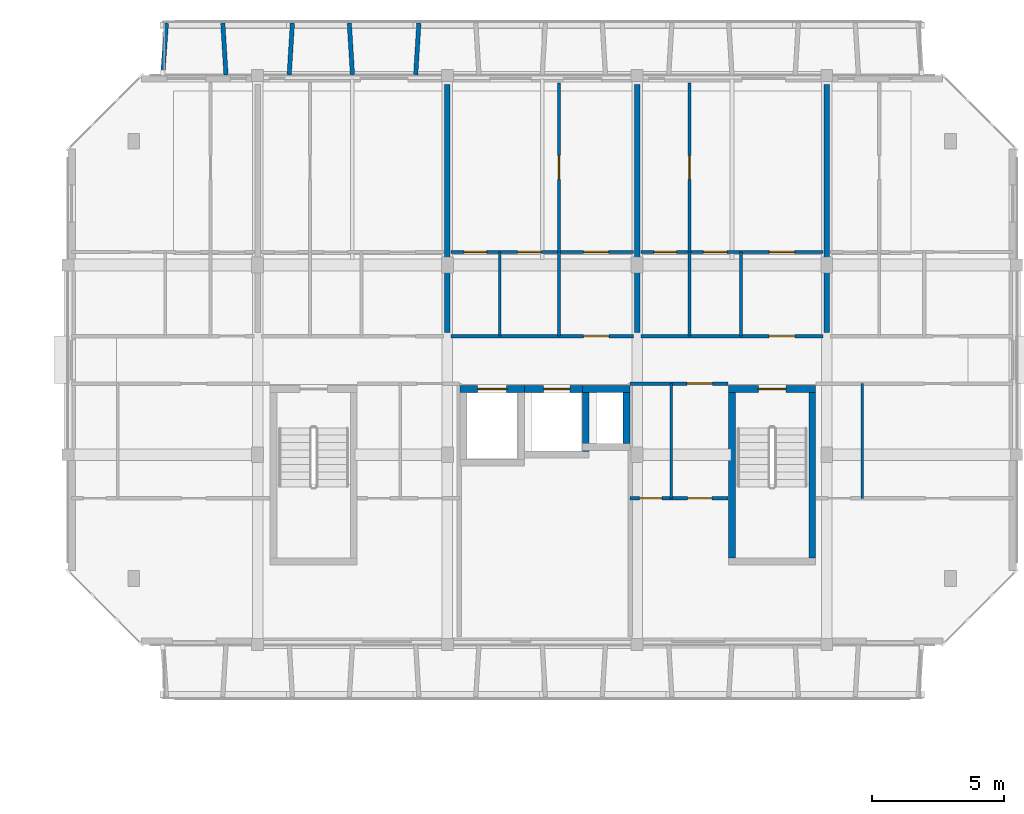
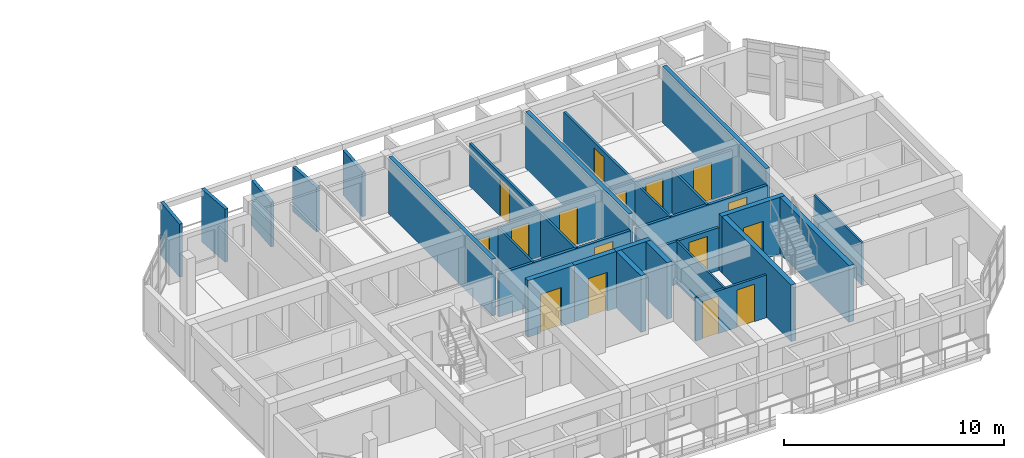
# One storey, part 30 of 43: 30 walls, 16 doors, 16 openings.
"""IFC4 building model written with IfcOpenShell, lengths in metres."""

from ifc_helpers import new_model, si_unit, direction, frame, frame_2d, origin, place, context, subcontext, project, spatial, rectangle, extrude, material, layer, layer_set, type_object, element, fill, save


model = new_model("IFC4")

# Units and contexts
model_context = context("Model", 3, precision=1e-05, world=origin(), true_north=direction((0.0, 1.0)))
body_context = subcontext(model_context, "Body", "Model", "MODEL_VIEW")
ifc_project = project(units=[si_unit("LENGTHUNIT", "METRE"), si_unit("AREAUNIT", "SQUARE_METRE"), si_unit("VOLUMEUNIT", "CUBIC_METRE"), si_unit("PLANEANGLEUNIT", "RADIAN"), si_unit("MASSUNIT", "GRAM", prefix="KILO")], contexts=[model_context])

# Site, building, storey
site_placement = place(None, origin())
site = spatial("IfcSite", under=ifc_project, at=site_placement, CompositionType="ELEMENT")
building_placement = place(site_placement, origin())
building = spatial("IfcBuilding", under=site, at=building_placement, Name="Ochrevale Crest", CompositionType="ELEMENT")
storey_placement = place(building_placement, frame((0.0, 0.0, 30.75)))
storey = spatial("IfcBuildingStorey", under=building, at=storey_placement, Name="L09", CompositionType="ELEMENT", Elevation=30.75)

# Wall, opening, door
ifc_material_1 = material(Name="Gypsum plasterboard", Category="gypsum")
ifc_layer_1 = layer(ifc_material_1, 0.139892578125)
ifc_layer_set_1 = layer_set([ifc_layer_1], Name="Gypsum plasterboard")
wall_type_1 = type_object("IfcWallType", Name="WL-COR-140", PredefinedType="PARTITIONING", material=ifc_layer_set_1)
wall_1_placement = place(storey_placement, frame((144.139892578125, 83.699951171875, 0.0), z_axis=(0.0, 0.0, 1.0), x_axis=(1.0, 0.0, 0.0)))
wall_1 = element("IfcWall", 1, at=wall_1_placement, inside=storey, type_object=wall_type_1, Name="Apartment D-L09-U3 corridor wall", PredefinedType="PARTITIONING", context=body_context, shape_type="SweptSolid", body=[
    extrude(rectangle(XDim=6.920166015625, YDim=0.139892578125, at=frame_2d((3.4599609375, 0.0))), origin(), (0.0, 0.0, 1.0), 2.3798828125),
])
opening_1_placement = place(wall_1_placement, frame((5.02001953125, 0.0, 0.0)))
opening_1 = element("IfcOpeningElement", 2, at=opening_1_placement, cuts=wall_1, Name="Opening FD01", PredefinedType="OPENING", context=body_context, shape_type="SweptSolid", body=[
    extrude(rectangle(XDim=0.97998046875, YDim=2.10009765625, at=frame_2d((0.489990234375, 1.050048828125))), frame((0.0, 0.080078125, 0.0), z_axis=(0.0, -1.0, 0.0), x_axis=(1.0, 0.0, 0.0)), (0.0, 0.0, 1.0), 0.159912109375),
])
ifc_material_2 = material(Name="Solid-core FSC hardwood", Category="wood")
door_type_1 = type_object("IfcDoorType", Name="DR-APT-950", OperationType="NOTDEFINED", PredefinedType="DOOR", material=ifc_material_2)
door_1_placement = place(opening_1_placement, origin())
door_1 = element("IfcDoor", 3, at=door_1_placement, inside=storey, type_object=door_type_1, Name="Apartment D-L09-U3 entrance door", OperationType="SINGLE_SWING_LEFT", OverallHeight=2.10009765625, OverallWidth=0.97998046875, PredefinedType="DOOR", context=body_context, shape_type="SweptSolid", body=[
    extrude(rectangle(XDim=0.97998046875, YDim=2.10009765625, at=frame_2d((0.489990234375, 1.050048828125))), frame((0.0, 0.02490234375, 0.0), z_axis=(0.0, -1.0, 0.0), x_axis=(1.0, 0.0, 0.0)), (0.0, 0.0, 1.0), 0.050048828125),
])
fill(opening_1, door_1)

wall_2_placement = place(storey_placement, frame((151.340087890625, 83.699951171875, 0.0), z_axis=(0.0, 0.0, 1.0), x_axis=(1.0, 0.0, 0.0)))
wall_2 = element("IfcWall", 4, at=wall_2_placement, inside=storey, type_object=wall_type_1, Name="Apartment D-L09-U4 corridor wall", PredefinedType="PARTITIONING", context=body_context, shape_type="SweptSolid", body=[
    extrude(rectangle(XDim=6.919921875, YDim=0.139892578125, at=frame_2d((3.4599609375, 0.0))), origin(), (0.0, 0.0, 1.0), 2.3798828125),
])
opening_2_placement = place(wall_2_placement, frame((5.85009765625, 0.0, 0.0), z_axis=(0.0, 0.0, 1.0), x_axis=(-1.0, 0.0, 0.0)))
opening_2 = element("IfcOpeningElement", 5, at=opening_2_placement, cuts=wall_2, Name="Opening FD01", PredefinedType="OPENING", context=body_context, shape_type="SweptSolid", body=[
    extrude(rectangle(XDim=0.97998046875, YDim=2.10009765625, at=frame_2d((0.489990234375, 1.050048828125))), frame((0.0, 0.080078125, 0.0), z_axis=(0.0, -1.0, 0.0), x_axis=(1.0, 0.0, 0.0)), (0.0, 0.0, 1.0), 0.159912109375),
])
door_2_placement = place(opening_2_placement, origin())
door_2 = element("IfcDoor", 6, at=door_2_placement, inside=storey, type_object=door_type_1, Name="Apartment D-L09-U4 entrance door", OperationType="SINGLE_SWING_RIGHT", OverallHeight=2.10009765625, OverallWidth=0.97998046875, PredefinedType="DOOR", context=body_context, shape_type="SweptSolid", body=[
    extrude(rectangle(XDim=0.97998046875, YDim=2.10009765625, at=frame_2d((0.489990234375, 1.050048828125))), frame((0.0, 0.02490234375, 0.0), z_axis=(0.0, -1.0, 0.0), x_axis=(1.0, 0.0, 0.0)), (0.0, 0.0, 1.0), 0.050048828125),
])
fill(opening_2, door_2)

wall_3_placement = place(storey_placement, frame((150.93994140625, 81.89990234375, 0.0), z_axis=(0.0, 0.0, 1.0), x_axis=(1.0, 0.0, 0.0)))
wall_3 = element("IfcWall", 7, at=wall_3_placement, inside=storey, type_object=wall_type_1, Name="Suite D-L09-ME corridor wall", PredefinedType="PARTITIONING", context=body_context, shape_type="SweptSolid", body=[
    extrude(rectangle(XDim=3.719970703125, YDim=0.139892578125, at=frame_2d((1.85986328125, 0.0))), origin(), (0.0, 0.0, 1.0), 2.3798828125),
])
opening_3_placement = place(wall_3_placement, frame((3.131103515625, 0.0, 0.0), z_axis=(0.0, 0.0, 1.0), x_axis=(-1.0, 0.0, 0.0)))
opening_3 = element("IfcOpeningElement", 8, at=opening_3_placement, cuts=wall_3, Name="Opening FD01", PredefinedType="OPENING", context=body_context, shape_type="SweptSolid", body=[
    extrude(rectangle(XDim=0.97998046875, YDim=2.10009765625, at=frame_2d((0.489990234375, 1.050048828125))), frame((0.0, 0.080078125, 0.0), z_axis=(0.0, -1.0, 0.0), x_axis=(1.0, 0.0, 0.0)), (0.0, 0.0, 1.0), 0.159912109375),
])
door_3_placement = place(opening_3_placement, origin())
door_3 = element("IfcDoor", 9, at=door_3_placement, inside=storey, type_object=door_type_1, Name="Suite D-L09-ME entrance door", OperationType="SINGLE_SWING_RIGHT", OverallHeight=2.10009765625, OverallWidth=0.97998046875, PredefinedType="DOOR", context=body_context, shape_type="SweptSolid", body=[
    extrude(rectangle(XDim=0.97998046875, YDim=2.10009765625, at=frame_2d((0.489990234375, 1.050048828125))), frame((0.0, 0.02490234375, 0.0), z_axis=(0.0, -1.0, 0.0), x_axis=(1.0, 0.0, 0.0)), (0.0, 0.0, 1.0), 0.050048828125),
])
fill(opening_3, door_3)

ifc_material_3 = material(Name="Precast concrete C50/60", Category="concrete")
ifc_layer_2 = layer(ifc_material_3, 0.2548828125)
ifc_layer_set_2 = layer_set([ifc_layer_2], Name="Precast concrete C50/60")
wall_type_2 = type_object("IfcWallType", Name="WL-CORE-255", PredefinedType="SHEAR", material=ifc_layer_set_2)
wall_4_placement = place(storey_placement, frame((154.672607421875, 81.699951171875, 0.0), z_axis=(0.0, 0.0, 1.0), x_axis=(1.0, 0.0, 0.0)))
wall_4 = element("IfcWall", 10, at=wall_4_placement, inside=storey, type_object=wall_type_2, Name="Block D L09 Stair 2 precast core shear wall N", PredefinedType="SHEAR", context=body_context, shape_type="SweptSolid", body=[
    extrude(rectangle(XDim=3.304931640625, YDim=0.2548828125, at=frame_2d((1.65234375, 0.0))), origin(), (0.0, 0.0, 1.0), 3.14990234375),
])
opening_4_placement = place(wall_4_placement, frame((1.12744140625, 0.0, 0.0)))
opening_4 = element("IfcOpeningElement", 11, at=opening_4_placement, cuts=wall_4, Name="Opening FD03", PredefinedType="OPENING", context=body_context, shape_type="SweptSolid", body=[
    extrude(rectangle(XDim=1.050048828125, YDim=2.1201171875, at=frame_2d((0.52490234375, 1.06005859375))), frame((0.0, 0.137451171875, 0.0), z_axis=(0.0, -1.0, 0.0), x_axis=(1.0, 0.0, 0.0)), (0.0, 0.0, 1.0), 0.27490234375),
])
door_type_2 = type_object("IfcDoorType", Name="DR-ST-1050", OperationType="NOTDEFINED", PredefinedType="DOOR", material=ifc_material_2)
door_4_placement = place(opening_4_placement, origin())
door_4 = element("IfcDoor", 12, at=door_4_placement, inside=storey, type_object=door_type_2, Name="Block D L09 fire stair 2 door", OperationType="SINGLE_SWING_LEFT", OverallHeight=2.1201171875, OverallWidth=1.050048828125, PredefinedType="DOOR", context=body_context, shape_type="SweptSolid", body=[
    extrude(rectangle(XDim=1.050048828125, YDim=2.1201171875, at=frame_2d((0.52490234375, 1.06005859375))), frame((0.0, 0.02490234375, 0.0), z_axis=(0.0, -1.0, 0.0), x_axis=(1.0, 0.0, 0.0)), (0.0, 0.0, 1.0), 0.050048828125),
])
fill(opening_4, door_4)

# Walls
for number, where, z_axis, x_axis, name in (
    (13, (154.800048828125, 75.277587890625, 0.0), (0.0, 0.0, 1.0), (0.0, 1.0, 0.0), "Block D L09 Stair 2 precast core shear wall W"),
    (14, (157.85009765625, 75.277587890625, 0.0), (0.0, 0.0, 1.0), (0.0, 1.0, 0.0), "Block D L09 Stair 2 precast core shear wall E"),
):
    element("IfcWall", number, at=place(storey_placement, frame(where, z_axis=z_axis, x_axis=x_axis)), inside=storey, type_object=wall_type_2, Name=name, PredefinedType="SHEAR", context=body_context, shape_type="SweptSolid", body=[
        extrude(rectangle(XDim=6.294921875, YDim=0.2548828125, at=frame_2d((3.1474609375, 0.0))), origin(), (0.0, 0.0, 1.0), 3.14990234375),
    ])

# Wall, opening, door
wall_5_placement = place(storey_placement, frame((144.472412109375, 81.699951171875, 0.0), z_axis=(0.0, 0.0, 1.0), x_axis=(1.0, 0.0, 0.0)))
wall_5 = element("IfcWall", 15, at=wall_5_placement, inside=storey, type_object=wall_type_2, Name="Block D L09 Lift 1 precast shaft shear wall N", PredefinedType="SHEAR", context=body_context, shape_type="SweptSolid", body=[
    extrude(rectangle(XDim=2.455078125, YDim=0.2548828125, at=frame_2d((1.2275390625, 0.0))), origin(), (0.0, 0.0, 1.0), 3.14990234375),
])
opening_5_placement = place(wall_5_placement, frame((0.677490234375, 0.0, 0.0)))
opening_5 = element("IfcOpeningElement", 16, at=opening_5_placement, cuts=wall_5, Name="Opening LD01", PredefinedType="OPENING", context=body_context, shape_type="SweptSolid", body=[
    extrude(rectangle(XDim=1.10009765625, YDim=2.14990234375, at=frame_2d((0.550048828125, 1.074951171875))), frame((0.0, 0.137451171875, 0.0), z_axis=(0.0, -1.0, 0.0), x_axis=(1.0, 0.0, 0.0)), (0.0, 0.0, 1.0), 0.27490234375),
])
door_type_3 = type_object("IfcDoorType", Name="DR-LIFT-1100", OperationType="NOTDEFINED", PredefinedType="DOOR", material=ifc_material_2)
door_5_placement = place(opening_5_placement, origin())
door_5 = element("IfcDoor", 17, at=door_5_placement, inside=storey, type_object=door_type_3, Name="Lift LF-D1 L09 sliding landing door", OperationType="SLIDING_TO_LEFT", OverallHeight=2.14990234375, OverallWidth=1.10009765625, PredefinedType="DOOR", context=body_context, shape_type="SweptSolid", body=[
    extrude(rectangle(XDim=1.10009765625, YDim=2.14990234375, at=frame_2d((0.550048828125, 1.074951171875))), frame((0.0, 0.02490234375, 0.0), z_axis=(0.0, -1.0, 0.0), x_axis=(1.0, 0.0, 0.0)), (0.0, 0.0, 1.0), 0.050048828125),
])
fill(opening_5, door_5)

wall_6_placement = place(storey_placement, frame((146.922607421875, 81.699951171875, 0.0), z_axis=(0.0, 0.0, 1.0), x_axis=(1.0, 0.0, 0.0)))
wall_6 = element("IfcWall", 18, at=wall_6_placement, inside=storey, type_object=wall_type_2, Name="Block D L09 Lift 2 precast shaft shear wall N", PredefinedType="SHEAR", context=body_context, shape_type="SweptSolid", body=[
    extrude(rectangle(XDim=2.454833984375, YDim=0.2548828125, at=frame_2d((1.2275390625, 0.0))), origin(), (0.0, 0.0, 1.0), 3.14990234375),
])
opening_6_placement = place(wall_6_placement, frame((0.7275390625, 0.0, 0.0)))
opening_6 = element("IfcOpeningElement", 19, at=opening_6_placement, cuts=wall_6, Name="Opening LD02", PredefinedType="OPENING", context=body_context, shape_type="SweptSolid", body=[
    extrude(rectangle(XDim=1.0, YDim=2.14990234375, at=frame_2d((0.5, 1.074951171875))), frame((0.0, 0.137451171875, 0.0), z_axis=(0.0, -1.0, 0.0), x_axis=(1.0, 0.0, 0.0)), (0.0, 0.0, 1.0), 0.27490234375),
])
door_type_4 = type_object("IfcDoorType", Name="DR-LIFT-1000", OperationType="NOTDEFINED", PredefinedType="DOOR", material=ifc_material_2)
door_6_placement = place(opening_6_placement, origin())
door_6 = element("IfcDoor", 20, at=door_6_placement, inside=storey, type_object=door_type_4, Name="Lift LP-D2 L09 sliding landing door", OperationType="SLIDING_TO_RIGHT", OverallHeight=2.14990234375, OverallWidth=1.0, PredefinedType="DOOR", context=body_context, shape_type="SweptSolid", body=[
    extrude(rectangle(XDim=1.0, YDim=2.14990234375, at=frame_2d((0.5, 1.074951171875))), frame((0.0, 0.02490234375, 0.0), z_axis=(0.0, -1.0, 0.0), x_axis=(1.0, 0.0, 0.0)), (0.0, 0.0, 1.0), 0.050048828125),
])
fill(opening_6, door_6)

# Walls
wall_7_placement = place(storey_placement, frame((149.25, 79.327392578125, 0.0), z_axis=(0.0, 0.0, 1.0), x_axis=(0.0, 1.0, 0.0)))
element("IfcWall", 21, at=wall_7_placement, inside=storey, type_object=wall_type_2, Name="Block D L09 Lift 2 precast shaft shear wall E", PredefinedType="SHEAR", context=body_context, shape_type="SweptSolid", body=[
    extrude(rectangle(XDim=2.2451171875, YDim=0.2548828125, at=frame_2d((1.12255859375, 0.0))), origin(), (0.0, 0.0, 1.0), 3.14990234375),
])
wall_8_placement = place(storey_placement, frame((149.12255859375, 81.699951171875, 0.0), z_axis=(0.0, 0.0, 1.0), x_axis=(1.0, 0.0, 0.0)))
element("IfcWall", 22, at=wall_8_placement, inside=storey, type_object=wall_type_2, Name="Block D L09 services riser shaft core wall N", PredefinedType="SHEAR", context=body_context, shape_type="SweptSolid", body=[
    extrude(rectangle(XDim=1.804931640625, YDim=0.2548828125, at=frame_2d((0.90234375, 0.0))), origin(), (0.0, 0.0, 1.0), 3.14990234375),
])
wall_9_placement = place(storey_placement, frame((150.800048828125, 79.62744140625, 0.0), z_axis=(0.0, 0.0, 1.0), x_axis=(0.0, 1.0, 0.0)))
element("IfcWall", 23, at=wall_9_placement, inside=storey, type_object=wall_type_2, Name="Block D L09 services riser shaft core wall E", PredefinedType="SHEAR", context=body_context, shape_type="SweptSolid", body=[
    extrude(rectangle(XDim=1.945068359375, YDim=0.2548828125, at=frame_2d((0.97265625, 0.0))), origin(), (0.0, 0.0, 1.0), 3.14990234375),
])
ifc_material_4 = material(Name="Precast concrete C40/50", Category="concrete")
ifc_layer_3 = layer(ifc_material_4, 0.1650390625)
ifc_layer_set_3 = layer_set([ifc_layer_3], Name="Precast concrete C40/50")
wall_type_3 = type_object("IfcWallType", Name="WL-HC-CHEEK-165", PredefinedType="ELEMENTEDWALL", material=ifc_layer_set_3)
wall_10_placement = place(storey_placement, frame((133.199951171875, 93.6201171875, 0.0), z_axis=(0.0, 0.0, 1.0), x_axis=(0.071317687608, 0.997453651772, 0.0)))
element("IfcWall", 24, at=wall_10_placement, inside=storey, type_object=wall_type_3, Name="Block D L09 N precast honeycomb cheek 1", PredefinedType="ELEMENTEDWALL", context=body_context, shape_type="SweptSolid", body=[
    extrude(rectangle(XDim=1.96484375, YDim=0.1650390625, at=frame_2d((0.982421875, 0.0))), origin(), (0.0, 0.0, 1.0), 2.949951171875),
])
wall_11_placement = place(storey_placement, frame((135.60009765625, 93.6201171875, 0.0), z_axis=(0.0, 0.0, 1.0), x_axis=(-0.061170732449, 0.998127317276, 0.0)))
element("IfcWall", 25, at=wall_11_placement, inside=storey, type_object=wall_type_3, Name="Block D L09 N precast honeycomb cheek 2", PredefinedType="ELEMENTEDWALL", context=body_context, shape_type="SweptSolid", body=[
    extrude(rectangle(XDim=1.963623046875, YDim=0.1650390625, at=frame_2d((0.98193359375, 0.0))), origin(), (0.0, 0.0, 1.0), 2.949951171875),
])
for number, where, z_axis, x_axis, name in (
    (26, (138.0, 93.6201171875, 0.0), (0.0, 0.0, 1.0), (0.061170732449, 0.998127317276, 0.0), "Block D L09 N precast honeycomb cheek 3"),
    (27, (140.39990234375, 93.6201171875, 0.0), (0.0, 0.0, 1.0), (-0.061046865508, 0.998134900808, 0.0), "Block D L09 N precast honeycomb cheek 4"),
    (28, (142.800048828125, 93.6201171875, 0.0), (0.0, 0.0, 1.0), (0.061046865508, 0.998134900808, 0.0), "Block D L09 N precast honeycomb cheek 5"),
):
    element("IfcWall", number, at=place(storey_placement, frame(where, z_axis=z_axis, x_axis=x_axis)), inside=storey, type_object=wall_type_3, Name=name, PredefinedType="ELEMENTEDWALL", context=body_context, shape_type="SweptSolid", body=[
        extrude(rectangle(XDim=1.963623046875, YDim=0.1650390625, at=frame_2d((0.98193359375, 0.0))), origin(), (0.0, 0.0, 1.0), 2.47998046875),
    ])
ifc_layer_4 = layer(ifc_material_1, 0.1201171875)
ifc_layer_set_4 = layer_set([ifc_layer_4], Name="Gypsum plasterboard")
wall_type_4 = type_object("IfcWallType", Name="WL-PART-120", PredefinedType="PARTITIONING", material=ifc_layer_set_4)
wall_12_placement = place(storey_placement, frame((148.239990234375, 83.699951171875, 0.0), z_axis=(0.0, 0.0, 1.0), x_axis=(0.0, 1.0, 0.0)))
element("IfcWall", 29, at=wall_12_placement, inside=storey, type_object=wall_type_4, Name="Apartment D-L09-U3 kitchen-foyer wall", PredefinedType="PARTITIONING", context=body_context, shape_type="SweptSolid", body=[
    extrude(rectangle(XDim=3.199951171875, YDim=0.1201171875, at=frame_2d((1.60009765625, 0.0))), origin(), (0.0, 0.0, 1.0), 2.3798828125),
])

# Wall, openings, doors
wall_13_placement = place(storey_placement, frame((144.139892578125, 86.89990234375, 0.0), z_axis=(0.0, 0.0, 1.0), x_axis=(1.0, 0.0, 0.0)))
wall_13 = element("IfcWall", 30, at=wall_13_placement, inside=storey, type_object=wall_type_4, Name="Apartment D-L09-U3 central partition", PredefinedType="PARTITIONING", context=body_context, shape_type="SweptSolid", body=[
    extrude(rectangle(XDim=6.920166015625, YDim=0.1201171875, at=frame_2d((3.4599609375, 0.0))), origin(), (0.0, 0.0, 1.0), 2.3798828125),
])
opening_7_placement = place(wall_13_placement, frame((1.35009765625, 0.0, 0.0), z_axis=(0.0, 0.0, 1.0), x_axis=(-1.0, 0.0, 0.0)))
opening_7 = element("IfcOpeningElement", 31, at=opening_7_placement, cuts=wall_13, Name="Opening ID01", PredefinedType="OPENING", context=body_context, shape_type="SweptSolid", body=[
    extrude(rectangle(XDim=0.85009765625, YDim=2.080078125, at=frame_2d((0.425048828125, 1.0400390625))), frame((0.0, 0.070068359375, 0.0), z_axis=(0.0, -1.0, 0.0), x_axis=(1.0, 0.0, 0.0)), (0.0, 0.0, 1.0), 0.14013671875),
])
opening_8_placement = place(wall_13_placement, frame((2.52490234375, 0.0, 0.0)))
opening_8 = element("IfcOpeningElement", 32, at=opening_8_placement, cuts=wall_13, Name="Opening ID02", PredefinedType="OPENING", context=body_context, shape_type="SweptSolid", body=[
    extrude(rectangle(XDim=0.89990234375, YDim=2.080078125, at=frame_2d((0.449951171875, 1.0400390625))), frame((0.0, 0.070068359375, 0.0), z_axis=(0.0, -1.0, 0.0), x_axis=(1.0, 0.0, 0.0)), (0.0, 0.0, 1.0), 0.14013671875),
])
opening_9_placement = place(wall_13_placement, frame((5.98486328125, 0.0, 0.0), z_axis=(0.0, 0.0, 1.0), x_axis=(-1.0, 0.0, 0.0)))
opening_9 = element("IfcOpeningElement", 33, at=opening_9_placement, cuts=wall_13, Name="Opening ID06", PredefinedType="OPENING", context=body_context, shape_type="SweptSolid", body=[
    extrude(rectangle(XDim=0.949951171875, YDim=2.080078125, at=frame_2d((0.47509765625, 1.0400390625))), frame((0.0, 0.070068359375, 0.0), z_axis=(0.0, -1.0, 0.0), x_axis=(1.0, 0.0, 0.0)), (0.0, 0.0, 1.0), 0.14013671875),
])
door_type_5 = type_object("IfcDoorType", Name="DR-INT-900", OperationType="NOTDEFINED", PredefinedType="DOOR", material=ifc_material_2)
door_7_placement = place(opening_8_placement, origin())
door_7 = element("IfcDoor", 34, at=door_7_placement, inside=storey, type_object=door_type_5, Name="Apartment D-L09-U3 Kitchen door", OperationType="SINGLE_SWING_LEFT", OverallHeight=2.080078125, OverallWidth=0.89990234375, PredefinedType="DOOR", context=body_context, shape_type="SweptSolid", body=[
    extrude(rectangle(XDim=0.89990234375, YDim=2.080078125, at=frame_2d((0.449951171875, 1.0400390625))), frame((0.0, 0.02490234375, 0.0), z_axis=(0.0, -1.0, 0.0), x_axis=(1.0, 0.0, 0.0)), (0.0, 0.0, 1.0), 0.050048828125),
])
fill(opening_8, door_7)
door_type_6 = type_object("IfcDoorType", Name="DR-INT-950", OperationType="NOTDEFINED", PredefinedType="DOOR", material=ifc_material_2)
door_8_placement = place(opening_9_placement, origin())
door_8 = element("IfcDoor", 35, at=door_8_placement, inside=storey, type_object=door_type_6, Name="Apartment D-L09-U3 Living Foyer door", OperationType="SINGLE_SWING_RIGHT", OverallHeight=2.080078125, OverallWidth=0.949951171875, PredefinedType="DOOR", context=body_context, shape_type="SweptSolid", body=[
    extrude(rectangle(XDim=0.949951171875, YDim=2.080078125, at=frame_2d((0.47509765625, 1.0400390625))), frame((0.0, 0.02490234375, 0.0), z_axis=(0.0, -1.0, 0.0), x_axis=(1.0, 0.0, 0.0)), (0.0, 0.0, 1.0), 0.050048828125),
])
fill(opening_9, door_8)
door_type_7 = type_object("IfcDoorType", Name="DR-WC-850", OperationType="NOTDEFINED", PredefinedType="DOOR", material=ifc_material_2)
door_9_placement = place(opening_7_placement, origin())
door_9 = element("IfcDoor", 36, at=door_9_placement, inside=storey, type_object=door_type_7, Name="Apartment D-L09-U3 Bathroom door", OperationType="SINGLE_SWING_RIGHT", OverallHeight=2.080078125, OverallWidth=0.85009765625, PredefinedType="DOOR", context=body_context, shape_type="SweptSolid", body=[
    extrude(rectangle(XDim=0.85009765625, YDim=2.080078125, at=frame_2d((0.425048828125, 1.0400390625))), frame((0.0, 0.02490234375, 0.0), z_axis=(0.0, -1.0, 0.0), x_axis=(1.0, 0.0, 0.0)), (0.0, 0.0, 1.0), 0.050048828125),
])
fill(opening_7, door_9)

# Wall, opening, door
wall_14_placement = place(storey_placement, frame((148.239990234375, 86.89990234375, 0.0), z_axis=(0.0, 0.0, 1.0), x_axis=(0.0, 1.0, 0.0)))
wall_14 = element("IfcWall", 37, at=wall_14_placement, inside=storey, type_object=wall_type_4, Name="Apartment D-L09-U3 bedroom partition", PredefinedType="PARTITIONING", context=body_context, shape_type="SweptSolid", body=[
    extrude(rectangle(XDim=6.400146484375, YDim=0.1201171875, at=frame_2d((3.2001953125, 0.0))), origin(), (0.0, 0.0, 1.0), 2.3798828125),
])
opening_10_placement = place(wall_14_placement, frame((2.75, 0.0, 0.0)))
opening_10 = element("IfcOpeningElement", 38, at=opening_10_placement, cuts=wall_14, Name="Opening ID02", PredefinedType="OPENING", context=body_context, shape_type="SweptSolid", body=[
    extrude(rectangle(XDim=0.89990234375, YDim=2.080078125, at=frame_2d((0.449951171875, 1.0400390625))), frame((0.0, 0.070068359375, 0.0), z_axis=(0.0, -1.0, 0.0), x_axis=(1.0, 0.0, 0.0)), (0.0, 0.0, 1.0), 0.14013671875),
])
door_10_placement = place(opening_10_placement, origin())
door_10 = element("IfcDoor", 39, at=door_10_placement, inside=storey, type_object=door_type_5, Name="Apartment D-L09-U3 Twin Bedroom door", OperationType="SINGLE_SWING_LEFT", OverallHeight=2.080078125, OverallWidth=0.89990234375, PredefinedType="DOOR", context=body_context, shape_type="SweptSolid", body=[
    extrude(rectangle(XDim=0.89990234375, YDim=2.080078125, at=frame_2d((0.449951171875, 1.0400390625))), frame((0.0, 0.02490234375, 0.0), z_axis=(0.0, -1.0, 0.0), x_axis=(1.0, 0.0, 0.0)), (0.0, 0.0, 1.0), 0.050048828125),
])
fill(opening_10, door_10)

# Wall
wall_15_placement = place(storey_placement, frame((155.139892578125, 83.699951171875, 0.0), z_axis=(0.0, 0.0, 1.0), x_axis=(0.0, 1.0, 0.0)))
element("IfcWall", 40, at=wall_15_placement, inside=storey, type_object=wall_type_4, Name="Apartment D-L09-U4 kitchen-foyer wall", PredefinedType="PARTITIONING", context=body_context, shape_type="SweptSolid", body=[
    extrude(rectangle(XDim=3.199951171875, YDim=0.1201171875, at=frame_2d((1.60009765625, 0.0))), origin(), (0.0, 0.0, 1.0), 2.3798828125),
])

# Wall, openings, doors
wall_16_placement = place(storey_placement, frame((151.340087890625, 86.89990234375, 0.0), z_axis=(0.0, 0.0, 1.0), x_axis=(1.0, 0.0, 0.0)))
wall_16 = element("IfcWall", 41, at=wall_16_placement, inside=storey, type_object=wall_type_4, Name="Apartment D-L09-U4 central partition", PredefinedType="PARTITIONING", context=body_context, shape_type="SweptSolid", body=[
    extrude(rectangle(XDim=6.919921875, YDim=0.1201171875, at=frame_2d((3.4599609375, 0.0))), origin(), (0.0, 0.0, 1.0), 2.3798828125),
])
opening_11_placement = place(wall_16_placement, frame((0.5, 0.0, 0.0)))
opening_11 = element("IfcOpeningElement", 42, at=opening_11_placement, cuts=wall_16, Name="Opening ID01", PredefinedType="OPENING", context=body_context, shape_type="SweptSolid", body=[
    extrude(rectangle(XDim=0.85009765625, YDim=2.080078125, at=frame_2d((0.425048828125, 1.0400390625))), frame((0.0, 0.070068359375, 0.0), z_axis=(0.0, -1.0, 0.0), x_axis=(1.0, 0.0, 0.0)), (0.0, 0.0, 1.0), 0.14013671875),
])
opening_12_placement = place(wall_16_placement, frame((3.27490234375, 0.0, 0.0), z_axis=(0.0, 0.0, 1.0), x_axis=(-1.0, 0.0, 0.0)))
opening_12 = element("IfcOpeningElement", 43, at=opening_12_placement, cuts=wall_16, Name="Opening ID02", PredefinedType="OPENING", context=body_context, shape_type="SweptSolid", body=[
    extrude(rectangle(XDim=0.89990234375, YDim=2.080078125, at=frame_2d((0.449951171875, 1.0400390625))), frame((0.0, 0.070068359375, 0.0), z_axis=(0.0, -1.0, 0.0), x_axis=(1.0, 0.0, 0.0)), (0.0, 0.0, 1.0), 0.14013671875),
])
opening_13_placement = place(wall_16_placement, frame((4.885009765625, 0.0, 0.0)))
opening_13 = element("IfcOpeningElement", 44, at=opening_13_placement, cuts=wall_16, Name="Opening ID06", PredefinedType="OPENING", context=body_context, shape_type="SweptSolid", body=[
    extrude(rectangle(XDim=0.949951171875, YDim=2.080078125, at=frame_2d((0.47509765625, 1.0400390625))), frame((0.0, 0.070068359375, 0.0), z_axis=(0.0, -1.0, 0.0), x_axis=(1.0, 0.0, 0.0)), (0.0, 0.0, 1.0), 0.14013671875),
])
door_11_placement = place(opening_12_placement, origin())
door_11 = element("IfcDoor", 45, at=door_11_placement, inside=storey, type_object=door_type_5, Name="Apartment D-L09-U4 Kitchen door", OperationType="SINGLE_SWING_RIGHT", OverallHeight=2.080078125, OverallWidth=0.89990234375, PredefinedType="DOOR", context=body_context, shape_type="SweptSolid", body=[
    extrude(rectangle(XDim=0.89990234375, YDim=2.080078125, at=frame_2d((0.449951171875, 1.0400390625))), frame((0.0, 0.02490234375, 0.0), z_axis=(0.0, -1.0, 0.0), x_axis=(1.0, 0.0, 0.0)), (0.0, 0.0, 1.0), 0.050048828125),
])
fill(opening_12, door_11)
door_12_placement = place(opening_13_placement, origin())
door_12 = element("IfcDoor", 46, at=door_12_placement, inside=storey, type_object=door_type_6, Name="Apartment D-L09-U4 Living Foyer door", OperationType="SINGLE_SWING_LEFT", OverallHeight=2.080078125, OverallWidth=0.949951171875, PredefinedType="DOOR", context=body_context, shape_type="SweptSolid", body=[
    extrude(rectangle(XDim=0.949951171875, YDim=2.080078125, at=frame_2d((0.47509765625, 1.0400390625))), frame((0.0, 0.02490234375, 0.0), z_axis=(0.0, -1.0, 0.0), x_axis=(1.0, 0.0, 0.0)), (0.0, 0.0, 1.0), 0.050048828125),
])
fill(opening_13, door_12)
door_13_placement = place(opening_11_placement, origin())
door_13 = element("IfcDoor", 47, at=door_13_placement, inside=storey, type_object=door_type_7, Name="Apartment D-L09-U4 Bathroom door", OperationType="SINGLE_SWING_LEFT", OverallHeight=2.080078125, OverallWidth=0.85009765625, PredefinedType="DOOR", context=body_context, shape_type="SweptSolid", body=[
    extrude(rectangle(XDim=0.85009765625, YDim=2.080078125, at=frame_2d((0.425048828125, 1.0400390625))), frame((0.0, 0.02490234375, 0.0), z_axis=(0.0, -1.0, 0.0), x_axis=(1.0, 0.0, 0.0)), (0.0, 0.0, 1.0), 0.050048828125),
])
fill(opening_11, door_13)

# Wall, opening, door
wall_17_placement = place(storey_placement, frame((153.18994140625, 86.89990234375, 0.0), z_axis=(0.0, 0.0, 1.0), x_axis=(0.0, 1.0, 0.0)))
wall_17 = element("IfcWall", 48, at=wall_17_placement, inside=storey, type_object=wall_type_4, Name="Apartment D-L09-U4 bedroom partition", PredefinedType="PARTITIONING", context=body_context, shape_type="SweptSolid", body=[
    extrude(rectangle(XDim=6.400146484375, YDim=0.1201171875, at=frame_2d((3.2001953125, 0.0))), origin(), (0.0, 0.0, 1.0), 2.3798828125),
])
opening_14_placement = place(wall_17_placement, frame((3.64990234375, 0.0, 0.0), z_axis=(0.0, 0.0, 1.0), x_axis=(-1.0, 0.0, 0.0)))
opening_14 = element("IfcOpeningElement", 49, at=opening_14_placement, cuts=wall_17, Name="Opening ID02", PredefinedType="OPENING", context=body_context, shape_type="SweptSolid", body=[
    extrude(rectangle(XDim=0.89990234375, YDim=2.080078125, at=frame_2d((0.449951171875, 1.0400390625))), frame((0.0, 0.070068359375, 0.0), z_axis=(0.0, -1.0, 0.0), x_axis=(1.0, 0.0, 0.0)), (0.0, 0.0, 1.0), 0.14013671875),
])
door_14_placement = place(opening_14_placement, origin())
door_14 = element("IfcDoor", 50, at=door_14_placement, inside=storey, type_object=door_type_5, Name="Apartment D-L09-U4 Double Bedroom door", OperationType="SINGLE_SWING_RIGHT", OverallHeight=2.080078125, OverallWidth=0.89990234375, PredefinedType="DOOR", context=body_context, shape_type="SweptSolid", body=[
    extrude(rectangle(XDim=0.89990234375, YDim=2.080078125, at=frame_2d((0.449951171875, 1.0400390625))), frame((0.0, 0.02490234375, 0.0), z_axis=(0.0, -1.0, 0.0), x_axis=(1.0, 0.0, 0.0)), (0.0, 0.0, 1.0), 0.050048828125),
])
fill(opening_14, door_14)

# Wall, openings, doors
wall_18_placement = place(storey_placement, frame((150.93994140625, 77.550048828125, 0.0), z_axis=(0.0, 0.0, 1.0), x_axis=(1.0, 0.0, 0.0)))
wall_18 = element("IfcWall", 51, at=wall_18_placement, inside=storey, type_object=wall_type_4, Name="Suite D-L09-ME internal wall", PredefinedType="PARTITIONING", context=body_context, shape_type="SweptSolid", body=[
    extrude(rectangle(XDim=3.719970703125, YDim=0.1201171875, at=frame_2d((1.85986328125, 0.0))), origin(), (0.0, 0.0, 1.0), 2.3798828125),
])
opening_15_placement = place(wall_18_placement, frame((0.356201171875, 0.0, 0.0)))
opening_15 = element("IfcOpeningElement", 52, at=opening_15_placement, cuts=wall_18, Name="Opening ID01", PredefinedType="OPENING", context=body_context, shape_type="SweptSolid", body=[
    extrude(rectangle(XDim=0.85009765625, YDim=2.080078125, at=frame_2d((0.425048828125, 1.0400390625))), frame((0.0, 0.070068359375, 0.0), z_axis=(0.0, -1.0, 0.0), x_axis=(1.0, 0.0, 0.0)), (0.0, 0.0, 1.0), 0.14013671875),
])
opening_16_placement = place(wall_18_placement, frame((3.10107421875, 0.0, 0.0), z_axis=(0.0, 0.0, 1.0), x_axis=(-1.0, 0.0, 0.0)))
opening_16 = element("IfcOpeningElement", 53, at=opening_16_placement, cuts=wall_18, Name="Opening ID04", PredefinedType="OPENING", context=body_context, shape_type="SweptSolid", body=[
    extrude(rectangle(XDim=0.919921875, YDim=2.080078125, at=frame_2d((0.4599609375, 1.0400390625))), frame((0.0, 0.070068359375, 0.0), z_axis=(0.0, -1.0, 0.0), x_axis=(1.0, 0.0, 0.0)), (0.0, 0.0, 1.0), 0.14013671875),
])
door_type_8 = type_object("IfcDoorType", Name="DR-INT-920", OperationType="NOTDEFINED", PredefinedType="DOOR", material=ifc_material_2)
door_15_placement = place(opening_16_placement, origin())
door_15 = element("IfcDoor", 54, at=door_15_placement, inside=storey, type_object=door_type_8, Name="Suite D-L09-ME Garden Alcove Studio door", OperationType="SINGLE_SWING_RIGHT", OverallHeight=2.080078125, OverallWidth=0.919921875, PredefinedType="DOOR", context=body_context, shape_type="SweptSolid", body=[
    extrude(rectangle(XDim=0.919921875, YDim=2.080078125, at=frame_2d((0.4599609375, 1.0400390625))), frame((0.0, 0.02490234375, 0.0), z_axis=(0.0, -1.0, 0.0), x_axis=(1.0, 0.0, 0.0)), (0.0, 0.0, 1.0), 0.050048828125),
])
fill(opening_16, door_15)
door_16_placement = place(opening_15_placement, origin())
door_16 = element("IfcDoor", 55, at=door_16_placement, inside=storey, type_object=door_type_7, Name="Suite D-L09-ME Bathroom door", OperationType="SINGLE_SWING_LEFT", OverallHeight=2.080078125, OverallWidth=0.85009765625, PredefinedType="DOOR", context=body_context, shape_type="SweptSolid", body=[
    extrude(rectangle(XDim=0.85009765625, YDim=2.080078125, at=frame_2d((0.425048828125, 1.0400390625))), frame((0.0, 0.02490234375, 0.0), z_axis=(0.0, -1.0, 0.0), x_axis=(1.0, 0.0, 0.0)), (0.0, 0.0, 1.0), 0.050048828125),
])
fill(opening_15, door_16)

# Walls
ifc_layer_5 = layer(ifc_material_4, 0.2099609375)
ifc_layer_set_5 = layer_set([ifc_layer_5], Name="Precast concrete C40/50")
wall_type_5 = type_object("IfcWallType", Name="WL-SHEAR-210", PredefinedType="SHEAR", material=ifc_layer_set_5)
for number, where, z_axis, x_axis, name in (
    (56, (144.0, 83.85009765625, 0.0), (0.0, 0.0, 1.0), (0.0, 1.0, 0.0), "Block D L09 load-bearing precast cross-wall X=144.0"),
    (57, (151.199951171875, 83.85009765625, 0.0), (0.0, 0.0, 1.0), (0.0, 1.0, 0.0), "Block D L09 load-bearing precast cross-wall X=151.2"),
    (58, (158.39990234375, 83.85009765625, 0.0), (0.0, 0.0, 1.0), (0.0, 1.0, 0.0), "Block D L09 load-bearing precast cross-wall X=158.4"),
):
    element("IfcWall", number, at=place(storey_placement, frame(where, z_axis=z_axis, x_axis=x_axis)), inside=storey, type_object=wall_type_5, Name=name, PredefinedType="SHEAR", context=body_context, shape_type="SweptSolid", body=[
        extrude(rectangle(XDim=9.39990234375, YDim=0.2099609375, at=frame_2d((4.699951171875, 0.0))), origin(), (0.0, 0.0, 1.0), 3.14990234375),
    ])
ifc_layer_6 = layer(ifc_material_1, 0.10009765625)
ifc_layer_set_6 = layer_set([ifc_layer_6], Name="Gypsum plasterboard")
wall_type_6 = type_object("IfcWallType", Name="WL-WET-100", PredefinedType="PARTITIONING", material=ifc_layer_set_6)
for number, where, z_axis, x_axis, name in (
    (59, (145.989990234375, 83.699951171875, 0.0), (0.0, 0.0, 1.0), (0.0, 1.0, 0.0), "Apartment D-L09-U3 bath-kitchen wall"),
    (60, (153.18994140625, 83.699951171875, 0.0), (0.0, 0.0, 1.0), (0.0, 1.0, 0.0), "Apartment D-L09-U4 bath-kitchen wall"),
):
    element("IfcWall", number, at=place(storey_placement, frame(where, z_axis=z_axis, x_axis=x_axis)), inside=storey, type_object=wall_type_6, Name=name, PredefinedType="PARTITIONING", context=body_context, shape_type="SweptSolid", body=[
        extrude(rectangle(XDim=3.199951171875, YDim=0.10009765625, at=frame_2d((1.60009765625, 0.0))), origin(), (0.0, 0.0, 1.0), 2.3798828125),
    ])
for number, where, z_axis, x_axis, name in (
    (61, (152.50244140625, 77.550048828125, 0.0), (0.0, 0.0, 1.0), (0.0, 1.0, 0.0), "Suite D-L09-ME bathroom divider"),
    (62, (159.739990234375, 77.550048828125, 0.0), (0.0, 0.0, 1.0), (0.0, 1.0, 0.0), "Suite D-L09-CE bathroom divider"),
):
    element("IfcWall", number, at=place(storey_placement, frame(where, z_axis=z_axis, x_axis=x_axis)), inside=storey, type_object=wall_type_6, Name=name, PredefinedType="PARTITIONING", context=body_context, shape_type="SweptSolid", body=[
        extrude(rectangle(XDim=4.349853515625, YDim=0.10009765625, at=frame_2d((2.1748046875, 0.0))), origin(), (0.0, 0.0, 1.0), 2.3798828125),
    ])

save(model, "model.ifc")
